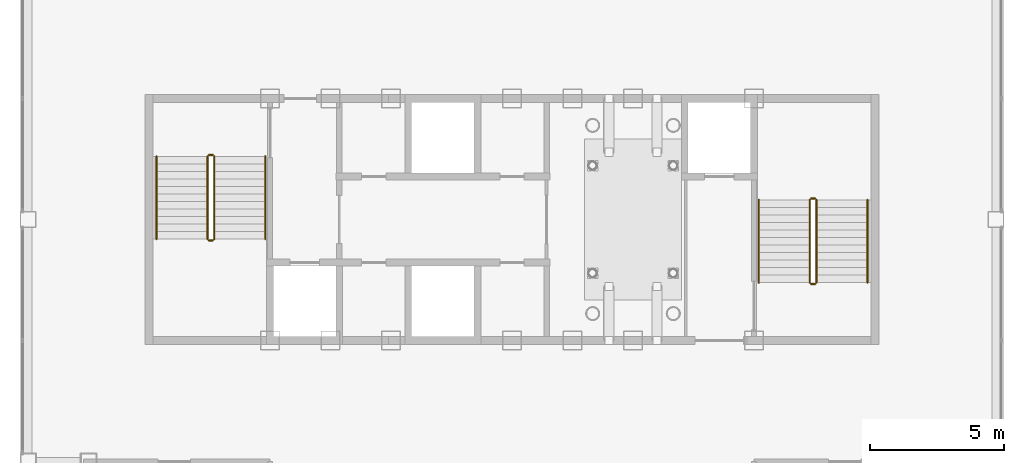
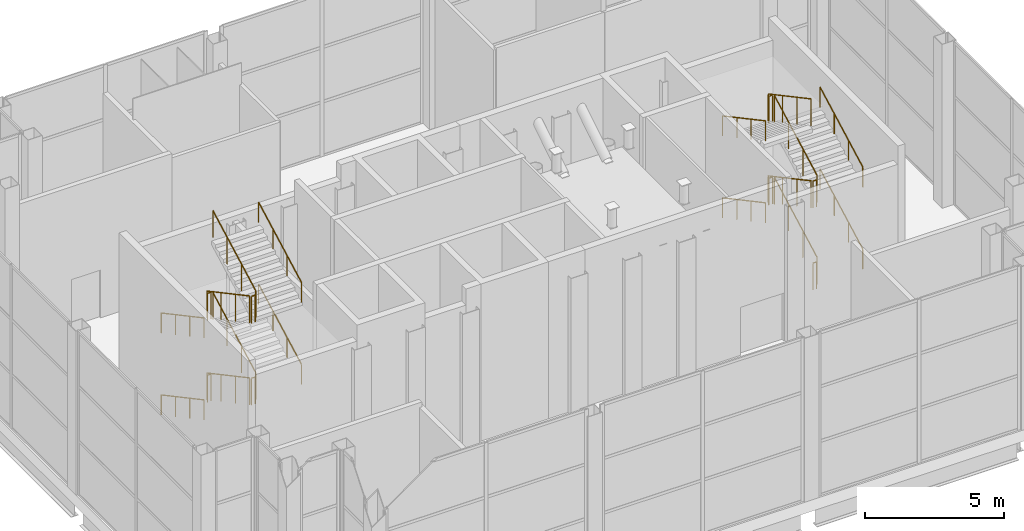
# One storey, part 14 of 15: 24 railings.
"""IFC4 building model written with IfcOpenShell, lengths in metres."""

from ifc_helpers import new_model, si_unit, direction, frame, origin, origin_2d, place, context, subcontext, project, spatial, circle, extrude, material, type_object, element, save


model = new_model("IFC4")

# Units and contexts
model_context = context("Model", 3, precision=1e-05, world=origin(), true_north=direction((0.0, 1.0)))
body_context = subcontext(model_context, "Body", "Model", "MODEL_VIEW")
ifc_project = project(units=[si_unit("LENGTHUNIT", "METRE"), si_unit("AREAUNIT", "SQUARE_METRE"), si_unit("VOLUMEUNIT", "CUBIC_METRE"), si_unit("PLANEANGLEUNIT", "RADIAN"), si_unit("MASSUNIT", "GRAM", prefix="KILO")], contexts=[model_context])

# Site, building, storey
site_placement = place(None, origin())
site = spatial("IfcSite", under=ifc_project, at=site_placement, CompositionType="ELEMENT")
building_placement = place(site_placement, origin())
building = spatial("IfcBuilding", under=site, at=building_placement, Name="Caravel Reach Hotel and Residences", CompositionType="ELEMENT")
storey_placement = place(building_placement, frame((0.0, 0.0, 305.60009765625)))
storey = spatial("IfcBuildingStorey", under=building, at=storey_placement, Name="L78", CompositionType="ELEMENT", Elevation=305.60009765625)

# Railings
ifc_material_1 = material(Name="Steel balustrade with glass infill", Category="steel")
railing_type_1 = type_object("IfcRailingType", Name="Guard 1200", PredefinedType="GUARDRAIL", material=ifc_material_1)
railing_1_placement = place(storey_placement, frame((20.175048828125, 29.35009765625, 0.14990234375)))
element("IfcRailing", 1, at=railing_1_placement, inside=storey, type_object=railing_type_1, Name="L78 ST-A stair guard 1", PredefinedType="GUARDRAIL", context=body_context, shape_type="SweptSolid", body=[
    extrude(circle(Radius=0.02392578125, at=origin_2d()), frame((0.0, 0.0, 1.17578125), z_axis=(0.0, -0.881496589024, 0.472190389079), x_axis=(1.0, 0.0, 0.0)), (0.0, 0.0, 1.0), 3.494140625),
    extrude(circle(Radius=0.02099609375, at=origin_2d()), origin(), (0.0, 0.0, 1.0), 1.15185546875),
    extrude(circle(Radius=0.02099609375, at=origin_2d()), frame((0.0, -1.026611328125, 0.550048828125)), (0.0, 0.0, 1.0), 1.15185546875),
    extrude(circle(Radius=0.02099609375, at=origin_2d()), frame((0.0, -2.053466796875, 1.099853515625)), (0.0, 0.0, 1.0), 1.15185546875),
    extrude(circle(Radius=0.02099609375, at=origin_2d()), frame((0.0, -3.080078125, 1.64990234375)), (0.0, 0.0, 1.0), 1.15185546875),
])
railing_2_placement = place(storey_placement, frame((20.22509765625, 26.219970703125, 1.7998046875)))
element("IfcRailing", 2, at=railing_2_placement, inside=storey, type_object=railing_type_1, Name="L78 ST-A stair guard 2", PredefinedType="GUARDRAIL", context=body_context, shape_type="SweptSolid", body=[
    extrude(circle(Radius=0.02392578125, at=origin_2d()), frame((0.0, 0.0, 1.17578125), z_axis=(1.0, 0.0, 0.0), x_axis=(0.0, 1.0, 0.0)), (0.0, 0.0, 1.0), 0.14990234375),
    extrude(circle(Radius=0.02099609375, at=origin_2d()), origin(), (0.0, 0.0, 1.0), 1.15185546875),
    extrude(circle(Radius=0.02099609375, at=origin_2d()), frame((0.14990234375, 0.0, 0.0)), (0.0, 0.0, 1.0), 1.15185546875),
])
railing_3_placement = place(storey_placement, frame((20.425048828125, 26.27001953125, 1.949951171875)))
element("IfcRailing", 3, at=railing_3_placement, inside=storey, type_object=railing_type_1, Name="L78 ST-A stair guard 3", PredefinedType="GUARDRAIL", context=body_context, shape_type="SweptSolid", body=[
    extrude(circle(Radius=0.02392578125, at=origin_2d()), frame((0.0, 0.0, 1.17578125), z_axis=(0.0, 0.881496589024, 0.472190389079), x_axis=(-1.0, 0.0, 0.0)), (0.0, 0.0, 1.0), 3.494140625),
    extrude(circle(Radius=0.02099609375, at=origin_2d()), origin(), (0.0, 0.0, 1.0), 1.15185546875),
    extrude(circle(Radius=0.02099609375, at=origin_2d()), frame((0.0, 1.026611328125, 0.550048828125)), (0.0, 0.0, 1.0), 1.15185546875),
    extrude(circle(Radius=0.02099609375, at=origin_2d()), frame((0.0, 2.053466796875, 1.099853515625)), (0.0, 0.0, 1.0), 1.15185546875),
    extrude(circle(Radius=0.02099609375, at=origin_2d()), frame((0.0, 3.080078125, 1.64990234375)), (0.0, 0.0, 1.0), 1.15185546875),
])
railing_4_placement = place(storey_placement, frame((20.22509765625, 29.39990234375, 3.599853515625)))
element("IfcRailing", 4, at=railing_4_placement, inside=storey, type_object=railing_type_1, Name="L78 ST-A stair guard 4", PredefinedType="GUARDRAIL", context=body_context, shape_type="SweptSolid", body=[
    extrude(circle(Radius=0.02392578125, at=origin_2d()), frame((0.0, 0.0, 1.17578125), z_axis=(1.0, 0.0, 0.0), x_axis=(0.0, 1.0, 0.0)), (0.0, 0.0, 1.0), 0.14990234375),
    extrude(circle(Radius=0.02099609375, at=origin_2d()), origin(), (0.0, 0.0, 1.0), 1.15185546875),
    extrude(circle(Radius=0.02099609375, at=origin_2d()), frame((0.14990234375, 0.0, 0.0)), (0.0, 0.0, 1.0), 1.15185546875),
])
railing_5_placement = place(storey_placement, frame((20.175048828125, 29.35009765625, 3.75)))
element("IfcRailing", 5, at=railing_5_placement, inside=storey, type_object=railing_type_1, Name="L78 ST-A stair guard 5", PredefinedType="GUARDRAIL", context=body_context, shape_type="SweptSolid", body=[
    extrude(circle(Radius=0.02392578125, at=origin_2d()), frame((0.0, 0.0, 1.17578125), z_axis=(0.0, -0.881496589024, 0.472190389079), x_axis=(1.0, 0.0, 0.0)), (0.0, 0.0, 1.0), 3.494140625),
    extrude(circle(Radius=0.02099609375, at=origin_2d()), origin(), (0.0, 0.0, 1.0), 1.15185546875),
    extrude(circle(Radius=0.02099609375, at=origin_2d()), frame((0.0, -1.026611328125, 0.550048828125)), (0.0, 0.0, 1.0), 1.15185546875),
    extrude(circle(Radius=0.02099609375, at=origin_2d()), frame((0.0, -2.053466796875, 1.099853515625)), (0.0, 0.0, 1.0), 1.15185546875),
    extrude(circle(Radius=0.02099609375, at=origin_2d()), frame((0.0, -3.080078125, 1.64990234375)), (0.0, 0.0, 1.0), 1.15185546875),
])
railing_6_placement = place(storey_placement, frame((20.22509765625, 26.219970703125, 5.39990234375)))
element("IfcRailing", 6, at=railing_6_placement, inside=storey, type_object=railing_type_1, Name="L78 ST-A stair guard 6", PredefinedType="GUARDRAIL", context=body_context, shape_type="SweptSolid", body=[
    extrude(circle(Radius=0.02392578125, at=origin_2d()), frame((0.0, 0.0, 1.17578125), z_axis=(1.0, 0.0, 0.0), x_axis=(0.0, 1.0, 0.0)), (0.0, 0.0, 1.0), 0.14990234375),
    extrude(circle(Radius=0.02099609375, at=origin_2d()), origin(), (0.0, 0.0, 1.0), 1.15185546875),
    extrude(circle(Radius=0.02099609375, at=origin_2d()), frame((0.14990234375, 0.0, 0.0)), (0.0, 0.0, 1.0), 1.15185546875),
])
railing_7_placement = place(storey_placement, frame((20.425048828125, 26.27001953125, 5.5498046875)))
element("IfcRailing", 7, at=railing_7_placement, inside=storey, type_object=railing_type_1, Name="L78 ST-A stair guard 7", PredefinedType="GUARDRAIL", context=body_context, shape_type="SweptSolid", body=[
    extrude(circle(Radius=0.02392578125, at=origin_2d()), frame((0.0, 0.0, 1.17578125), z_axis=(0.0, 0.881467505477, 0.472244678941), x_axis=(-1.0, 0.0, 0.0)), (0.0, 0.0, 1.0), 3.494140625),
    extrude(circle(Radius=0.02099609375, at=origin_2d()), origin(), (0.0, 0.0, 1.0), 1.15185546875),
    extrude(circle(Radius=0.02099609375, at=origin_2d()), frame((0.0, 1.026611328125, 0.550048828125)), (0.0, 0.0, 1.0), 1.15185546875),
    extrude(circle(Radius=0.02099609375, at=origin_2d()), frame((0.0, 2.053466796875, 1.10009765625)), (0.0, 0.0, 1.0), 1.15185546875),
    extrude(circle(Radius=0.02099609375, at=origin_2d()), frame((0.0, 3.080078125, 1.650146484375)), (0.0, 0.0, 1.0), 1.15185546875),
])
railing_8_placement = place(storey_placement, frame((20.22509765625, 29.39990234375, 0.0)))
element("IfcRailing", 8, at=railing_8_placement, inside=storey, type_object=railing_type_1, Name="L78 ST-A stair guard 8", PredefinedType="GUARDRAIL", context=body_context, shape_type="SweptSolid", body=[
    extrude(circle(Radius=0.02392578125, at=origin_2d()), frame((0.0, 0.0, 1.17578125), z_axis=(1.0, 0.0, 0.0), x_axis=(0.0, 1.0, 0.0)), (0.0, 0.0, 1.0), 0.14990234375),
    extrude(circle(Radius=0.02099609375, at=origin_2d()), origin(), (0.0, 0.0, 1.0), 1.15185546875),
    extrude(circle(Radius=0.02099609375, at=origin_2d()), frame((0.14990234375, 0.0, 0.0)), (0.0, 0.0, 1.0), 1.15185546875),
])
railing_9_placement = place(storey_placement, frame((42.824951171875, 24.64990234375, 0.14990234375)))
element("IfcRailing", 9, at=railing_9_placement, inside=storey, type_object=railing_type_1, Name="L78 ST-B stair guard 1", PredefinedType="GUARDRAIL", context=body_context, shape_type="SweptSolid", body=[
    extrude(circle(Radius=0.02392578125, at=origin_2d()), frame((0.0, 0.0, 1.17578125), z_axis=(0.0, 0.881496589024, 0.472190389079), x_axis=(-1.0, 0.0, 0.0)), (0.0, 0.0, 1.0), 3.494140625),
    extrude(circle(Radius=0.02099609375, at=origin_2d()), origin(), (0.0, 0.0, 1.0), 1.15185546875),
    extrude(circle(Radius=0.02099609375, at=origin_2d()), frame((0.0, 1.026611328125, 0.550048828125)), (0.0, 0.0, 1.0), 1.15185546875),
    extrude(circle(Radius=0.02099609375, at=origin_2d()), frame((0.0, 2.053466796875, 1.099853515625)), (0.0, 0.0, 1.0), 1.15185546875),
    extrude(circle(Radius=0.02099609375, at=origin_2d()), frame((0.0, 3.080078125, 1.64990234375)), (0.0, 0.0, 1.0), 1.15185546875),
])
railing_10_placement = place(storey_placement, frame((42.77490234375, 27.780029296875, 1.7998046875)))
element("IfcRailing", 10, at=railing_10_placement, inside=storey, type_object=railing_type_1, Name="L78 ST-B stair guard 2", PredefinedType="GUARDRAIL", context=body_context, shape_type="SweptSolid", body=[
    extrude(circle(Radius=0.02392578125, at=origin_2d()), frame((0.0, 0.0, 1.17578125), z_axis=(-1.0, 0.0, 0.0), x_axis=(0.0, -1.0, 0.0)), (0.0, 0.0, 1.0), 0.14990234375),
    extrude(circle(Radius=0.02099609375, at=origin_2d()), origin(), (0.0, 0.0, 1.0), 1.15185546875),
    extrude(circle(Radius=0.02099609375, at=origin_2d()), frame((-0.14990234375, 0.0, 0.0)), (0.0, 0.0, 1.0), 1.15185546875),
])
railing_11_placement = place(storey_placement, frame((42.574951171875, 27.72998046875, 1.949951171875)))
element("IfcRailing", 11, at=railing_11_placement, inside=storey, type_object=railing_type_1, Name="L78 ST-B stair guard 3", PredefinedType="GUARDRAIL", context=body_context, shape_type="SweptSolid", body=[
    extrude(circle(Radius=0.02392578125, at=origin_2d()), frame((0.0, 0.0, 1.17578125), z_axis=(0.0, -0.881496589024, 0.472190389079), x_axis=(1.0, 0.0, 0.0)), (0.0, 0.0, 1.0), 3.494140625),
    extrude(circle(Radius=0.02099609375, at=origin_2d()), origin(), (0.0, 0.0, 1.0), 1.15185546875),
    extrude(circle(Radius=0.02099609375, at=origin_2d()), frame((0.0, -1.026611328125, 0.550048828125)), (0.0, 0.0, 1.0), 1.15185546875),
    extrude(circle(Radius=0.02099609375, at=origin_2d()), frame((0.0, -2.053466796875, 1.099853515625)), (0.0, 0.0, 1.0), 1.15185546875),
    extrude(circle(Radius=0.02099609375, at=origin_2d()), frame((0.0, -3.080078125, 1.64990234375)), (0.0, 0.0, 1.0), 1.15185546875),
])
railing_12_placement = place(storey_placement, frame((42.77490234375, 24.60009765625, 3.599853515625)))
element("IfcRailing", 12, at=railing_12_placement, inside=storey, type_object=railing_type_1, Name="L78 ST-B stair guard 4", PredefinedType="GUARDRAIL", context=body_context, shape_type="SweptSolid", body=[
    extrude(circle(Radius=0.02392578125, at=origin_2d()), frame((0.0, 0.0, 1.17578125), z_axis=(-1.0, 0.0, 0.0), x_axis=(0.0, -1.0, 0.0)), (0.0, 0.0, 1.0), 0.14990234375),
    extrude(circle(Radius=0.02099609375, at=origin_2d()), origin(), (0.0, 0.0, 1.0), 1.15185546875),
    extrude(circle(Radius=0.02099609375, at=origin_2d()), frame((-0.14990234375, 0.0, 0.0)), (0.0, 0.0, 1.0), 1.15185546875),
])
railing_13_placement = place(storey_placement, frame((42.824951171875, 24.64990234375, 3.75)))
element("IfcRailing", 13, at=railing_13_placement, inside=storey, type_object=railing_type_1, Name="L78 ST-B stair guard 5", PredefinedType="GUARDRAIL", context=body_context, shape_type="SweptSolid", body=[
    extrude(circle(Radius=0.02392578125, at=origin_2d()), frame((0.0, 0.0, 1.17578125), z_axis=(0.0, 0.881496589024, 0.472190389079), x_axis=(-1.0, 0.0, 0.0)), (0.0, 0.0, 1.0), 3.494140625),
    extrude(circle(Radius=0.02099609375, at=origin_2d()), origin(), (0.0, 0.0, 1.0), 1.15185546875),
    extrude(circle(Radius=0.02099609375, at=origin_2d()), frame((0.0, 1.026611328125, 0.550048828125)), (0.0, 0.0, 1.0), 1.15185546875),
    extrude(circle(Radius=0.02099609375, at=origin_2d()), frame((0.0, 2.053466796875, 1.099853515625)), (0.0, 0.0, 1.0), 1.15185546875),
    extrude(circle(Radius=0.02099609375, at=origin_2d()), frame((0.0, 3.080078125, 1.64990234375)), (0.0, 0.0, 1.0), 1.15185546875),
])
railing_14_placement = place(storey_placement, frame((42.77490234375, 27.780029296875, 5.39990234375)))
element("IfcRailing", 14, at=railing_14_placement, inside=storey, type_object=railing_type_1, Name="L78 ST-B stair guard 6", PredefinedType="GUARDRAIL", context=body_context, shape_type="SweptSolid", body=[
    extrude(circle(Radius=0.02392578125, at=origin_2d()), frame((0.0, 0.0, 1.17578125), z_axis=(-1.0, 0.0, 0.0), x_axis=(0.0, -1.0, 0.0)), (0.0, 0.0, 1.0), 0.14990234375),
    extrude(circle(Radius=0.02099609375, at=origin_2d()), origin(), (0.0, 0.0, 1.0), 1.15185546875),
    extrude(circle(Radius=0.02099609375, at=origin_2d()), frame((-0.14990234375, 0.0, 0.0)), (0.0, 0.0, 1.0), 1.15185546875),
])
railing_15_placement = place(storey_placement, frame((42.574951171875, 27.72998046875, 5.5498046875)))
element("IfcRailing", 15, at=railing_15_placement, inside=storey, type_object=railing_type_1, Name="L78 ST-B stair guard 7", PredefinedType="GUARDRAIL", context=body_context, shape_type="SweptSolid", body=[
    extrude(circle(Radius=0.02392578125, at=origin_2d()), frame((0.0, 0.0, 1.17578125), z_axis=(0.0, -0.881467505477, 0.472244678941), x_axis=(1.0, 0.0, 0.0)), (0.0, 0.0, 1.0), 3.494140625),
    extrude(circle(Radius=0.02099609375, at=origin_2d()), origin(), (0.0, 0.0, 1.0), 1.15185546875),
    extrude(circle(Radius=0.02099609375, at=origin_2d()), frame((0.0, -1.026611328125, 0.550048828125)), (0.0, 0.0, 1.0), 1.15185546875),
    extrude(circle(Radius=0.02099609375, at=origin_2d()), frame((0.0, -2.053466796875, 1.10009765625)), (0.0, 0.0, 1.0), 1.15185546875),
    extrude(circle(Radius=0.02099609375, at=origin_2d()), frame((0.0, -3.080078125, 1.650146484375)), (0.0, 0.0, 1.0), 1.15185546875),
])
railing_16_placement = place(storey_placement, frame((42.77490234375, 24.60009765625, 0.0)))
element("IfcRailing", 16, at=railing_16_placement, inside=storey, type_object=railing_type_1, Name="L78 ST-B stair guard 8", PredefinedType="GUARDRAIL", context=body_context, shape_type="SweptSolid", body=[
    extrude(circle(Radius=0.02392578125, at=origin_2d()), frame((0.0, 0.0, 1.17578125), z_axis=(-1.0, 0.0, 0.0), x_axis=(0.0, -1.0, 0.0)), (0.0, 0.0, 1.0), 0.14990234375),
    extrude(circle(Radius=0.02099609375, at=origin_2d()), origin(), (0.0, 0.0, 1.0), 1.15185546875),
    extrude(circle(Radius=0.02099609375, at=origin_2d()), frame((-0.14990234375, 0.0, 0.0)), (0.0, 0.0, 1.0), 1.15185546875),
])
ifc_material_2 = material(Name="Stainless steel handrail", Category="steel")
railing_type_2 = type_object("IfcRailingType", Name="Handrail 900", PredefinedType="HANDRAIL", material=ifc_material_2)
railing_17_placement = place(storey_placement, frame((18.27490234375, 29.35009765625, 0.14990234375)))
element("IfcRailing", 17, at=railing_17_placement, inside=storey, type_object=railing_type_2, Name="L78 ST-A stair handrail 1", PredefinedType="HANDRAIL", context=body_context, shape_type="SweptSolid", body=[
    extrude(circle(Radius=0.02392578125, at=origin_2d()), frame((0.0, 0.0, 0.8759765625), z_axis=(0.0, -0.881496589024, 0.472190389079), x_axis=(1.0, 0.0, 0.0)), (0.0, 0.0, 1.0), 3.494140625),
    extrude(circle(Radius=0.02099609375, at=origin_2d()), origin(), (0.0, 0.0, 1.0), 0.851806640625),
    extrude(circle(Radius=0.02099609375, at=origin_2d()), frame((0.0, -1.026611328125, 0.550048828125)), (0.0, 0.0, 1.0), 0.851806640625),
    extrude(circle(Radius=0.02099609375, at=origin_2d()), frame((0.0, -2.053466796875, 1.099853515625)), (0.0, 0.0, 1.0), 0.851806640625),
    extrude(circle(Radius=0.02099609375, at=origin_2d()), frame((0.0, -3.080078125, 1.64990234375)), (0.0, 0.0, 1.0), 0.851806640625),
])
railing_18_placement = place(storey_placement, frame((22.324951171875, 26.27001953125, 1.949951171875)))
element("IfcRailing", 18, at=railing_18_placement, inside=storey, type_object=railing_type_2, Name="L78 ST-A stair handrail 2", PredefinedType="HANDRAIL", context=body_context, shape_type="SweptSolid", body=[
    extrude(circle(Radius=0.02392578125, at=origin_2d()), frame((0.0, 0.0, 0.8759765625), z_axis=(0.0, 0.881496589024, 0.472190389079), x_axis=(-1.0, 0.0, 0.0)), (0.0, 0.0, 1.0), 3.494140625),
    extrude(circle(Radius=0.02099609375, at=origin_2d()), origin(), (0.0, 0.0, 1.0), 0.851806640625),
    extrude(circle(Radius=0.02099609375, at=origin_2d()), frame((0.0, 1.026611328125, 0.550048828125)), (0.0, 0.0, 1.0), 0.851806640625),
    extrude(circle(Radius=0.02099609375, at=origin_2d()), frame((0.0, 2.053466796875, 1.099853515625)), (0.0, 0.0, 1.0), 0.851806640625),
    extrude(circle(Radius=0.02099609375, at=origin_2d()), frame((0.0, 3.080078125, 1.64990234375)), (0.0, 0.0, 1.0), 0.851806640625),
])
railing_19_placement = place(storey_placement, frame((18.27490234375, 29.35009765625, 3.75)))
element("IfcRailing", 19, at=railing_19_placement, inside=storey, type_object=railing_type_2, Name="L78 ST-A stair handrail 3", PredefinedType="HANDRAIL", context=body_context, shape_type="SweptSolid", body=[
    extrude(circle(Radius=0.02392578125, at=origin_2d()), frame((0.0, 0.0, 0.8759765625), z_axis=(0.0, -0.881496589024, 0.472190389079), x_axis=(1.0, 0.0, 0.0)), (0.0, 0.0, 1.0), 3.494140625),
    extrude(circle(Radius=0.02099609375, at=origin_2d()), origin(), (0.0, 0.0, 1.0), 0.851806640625),
    extrude(circle(Radius=0.02099609375, at=origin_2d()), frame((0.0, -1.026611328125, 0.550048828125)), (0.0, 0.0, 1.0), 0.851806640625),
    extrude(circle(Radius=0.02099609375, at=origin_2d()), frame((0.0, -2.053466796875, 1.099853515625)), (0.0, 0.0, 1.0), 0.851806640625),
    extrude(circle(Radius=0.02099609375, at=origin_2d()), frame((0.0, -3.080078125, 1.64990234375)), (0.0, 0.0, 1.0), 0.851806640625),
])
railing_20_placement = place(storey_placement, frame((22.324951171875, 26.27001953125, 5.5498046875)))
element("IfcRailing", 20, at=railing_20_placement, inside=storey, type_object=railing_type_2, Name="L78 ST-A stair handrail 4", PredefinedType="HANDRAIL", context=body_context, shape_type="SweptSolid", body=[
    extrude(circle(Radius=0.02392578125, at=origin_2d()), frame((0.0, 0.0, 0.8759765625), z_axis=(0.0, 0.881467505477, 0.472244678941), x_axis=(-1.0, 0.0, 0.0)), (0.0, 0.0, 1.0), 3.494140625),
    extrude(circle(Radius=0.02099609375, at=origin_2d()), origin(), (0.0, 0.0, 1.0), 0.851806640625),
    extrude(circle(Radius=0.02099609375, at=origin_2d()), frame((0.0, 1.026611328125, 0.550048828125)), (0.0, 0.0, 1.0), 0.851806640625),
    extrude(circle(Radius=0.02099609375, at=origin_2d()), frame((0.0, 2.053466796875, 1.10009765625)), (0.0, 0.0, 1.0), 0.851806640625),
    extrude(circle(Radius=0.02099609375, at=origin_2d()), frame((0.0, 3.080078125, 1.650146484375)), (0.0, 0.0, 1.0), 0.851806640625),
])
railing_21_placement = place(storey_placement, frame((44.72509765625, 24.64990234375, 0.14990234375)))
element("IfcRailing", 21, at=railing_21_placement, inside=storey, type_object=railing_type_2, Name="L78 ST-B stair handrail 1", PredefinedType="HANDRAIL", context=body_context, shape_type="SweptSolid", body=[
    extrude(circle(Radius=0.02392578125, at=origin_2d()), frame((0.0, 0.0, 0.8759765625), z_axis=(0.0, 0.881496589024, 0.472190389079), x_axis=(-1.0, 0.0, 0.0)), (0.0, 0.0, 1.0), 3.494140625),
    extrude(circle(Radius=0.02099609375, at=origin_2d()), origin(), (0.0, 0.0, 1.0), 0.851806640625),
    extrude(circle(Radius=0.02099609375, at=origin_2d()), frame((0.0, 1.026611328125, 0.550048828125)), (0.0, 0.0, 1.0), 0.851806640625),
    extrude(circle(Radius=0.02099609375, at=origin_2d()), frame((0.0, 2.053466796875, 1.099853515625)), (0.0, 0.0, 1.0), 0.851806640625),
    extrude(circle(Radius=0.02099609375, at=origin_2d()), frame((0.0, 3.080078125, 1.64990234375)), (0.0, 0.0, 1.0), 0.851806640625),
])
railing_22_placement = place(storey_placement, frame((40.675048828125, 27.72998046875, 1.949951171875)))
element("IfcRailing", 22, at=railing_22_placement, inside=storey, type_object=railing_type_2, Name="L78 ST-B stair handrail 2", PredefinedType="HANDRAIL", context=body_context, shape_type="SweptSolid", body=[
    extrude(circle(Radius=0.02392578125, at=origin_2d()), frame((0.0, 0.0, 0.8759765625), z_axis=(0.0, -0.881496589024, 0.472190389079), x_axis=(1.0, 0.0, 0.0)), (0.0, 0.0, 1.0), 3.494140625),
    extrude(circle(Radius=0.02099609375, at=origin_2d()), origin(), (0.0, 0.0, 1.0), 0.851806640625),
    extrude(circle(Radius=0.02099609375, at=origin_2d()), frame((0.0, -1.026611328125, 0.550048828125)), (0.0, 0.0, 1.0), 0.851806640625),
    extrude(circle(Radius=0.02099609375, at=origin_2d()), frame((0.0, -2.053466796875, 1.099853515625)), (0.0, 0.0, 1.0), 0.851806640625),
    extrude(circle(Radius=0.02099609375, at=origin_2d()), frame((0.0, -3.080078125, 1.64990234375)), (0.0, 0.0, 1.0), 0.851806640625),
])
railing_23_placement = place(storey_placement, frame((44.72509765625, 24.64990234375, 3.75)))
element("IfcRailing", 23, at=railing_23_placement, inside=storey, type_object=railing_type_2, Name="L78 ST-B stair handrail 3", PredefinedType="HANDRAIL", context=body_context, shape_type="SweptSolid", body=[
    extrude(circle(Radius=0.02392578125, at=origin_2d()), frame((0.0, 0.0, 0.8759765625), z_axis=(0.0, 0.881496589024, 0.472190389079), x_axis=(-1.0, 0.0, 0.0)), (0.0, 0.0, 1.0), 3.494140625),
    extrude(circle(Radius=0.02099609375, at=origin_2d()), origin(), (0.0, 0.0, 1.0), 0.851806640625),
    extrude(circle(Radius=0.02099609375, at=origin_2d()), frame((0.0, 1.026611328125, 0.550048828125)), (0.0, 0.0, 1.0), 0.851806640625),
    extrude(circle(Radius=0.02099609375, at=origin_2d()), frame((0.0, 2.053466796875, 1.099853515625)), (0.0, 0.0, 1.0), 0.851806640625),
    extrude(circle(Radius=0.02099609375, at=origin_2d()), frame((0.0, 3.080078125, 1.64990234375)), (0.0, 0.0, 1.0), 0.851806640625),
])
railing_24_placement = place(storey_placement, frame((40.675048828125, 27.72998046875, 5.5498046875)))
element("IfcRailing", 24, at=railing_24_placement, inside=storey, type_object=railing_type_2, Name="L78 ST-B stair handrail 4", PredefinedType="HANDRAIL", context=body_context, shape_type="SweptSolid", body=[
    extrude(circle(Radius=0.02392578125, at=origin_2d()), frame((0.0, 0.0, 0.8759765625), z_axis=(0.0, -0.881467505477, 0.472244678941), x_axis=(1.0, 0.0, 0.0)), (0.0, 0.0, 1.0), 3.494140625),
    extrude(circle(Radius=0.02099609375, at=origin_2d()), origin(), (0.0, 0.0, 1.0), 0.851806640625),
    extrude(circle(Radius=0.02099609375, at=origin_2d()), frame((0.0, -1.026611328125, 0.550048828125)), (0.0, 0.0, 1.0), 0.851806640625),
    extrude(circle(Radius=0.02099609375, at=origin_2d()), frame((0.0, -2.053466796875, 1.10009765625)), (0.0, 0.0, 1.0), 0.851806640625),
    extrude(circle(Radius=0.02099609375, at=origin_2d()), frame((0.0, -3.080078125, 1.650146484375)), (0.0, 0.0, 1.0), 0.851806640625),
])

save(model, "model.ifc")
